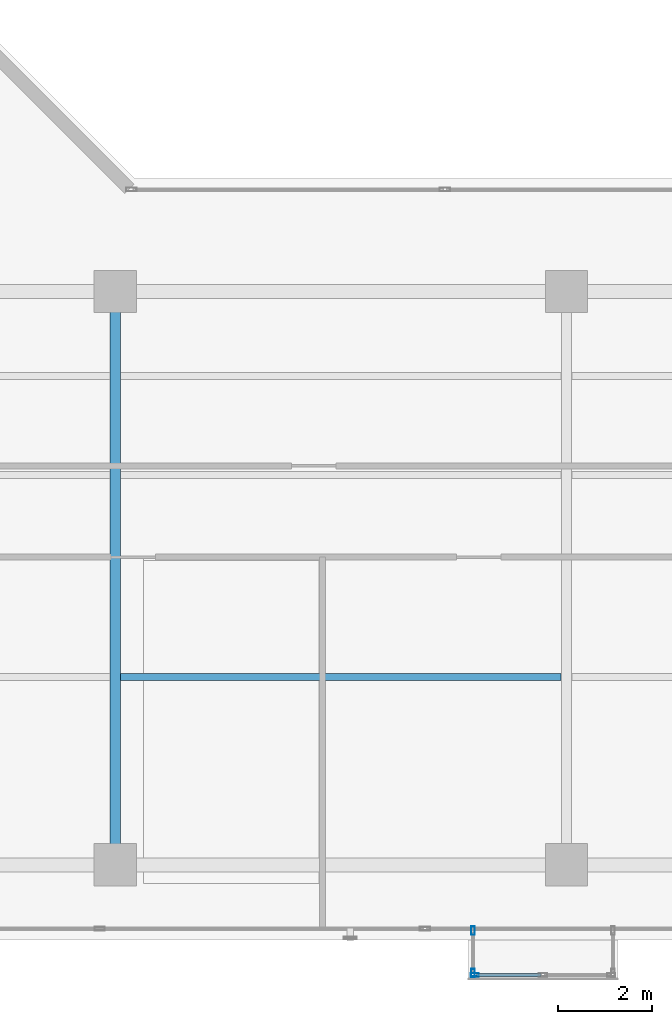
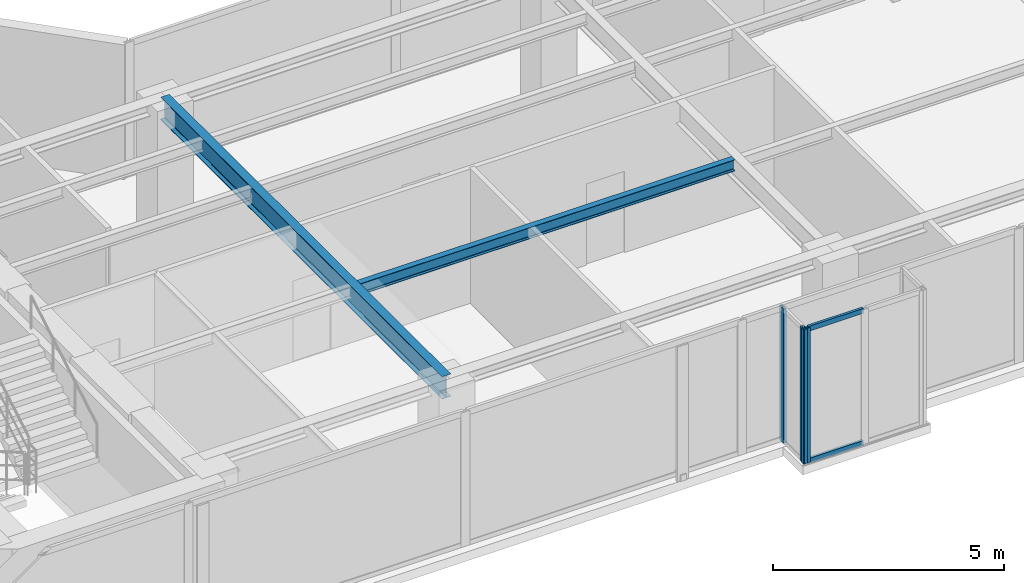
# One storey, part 5 of 24: 5 members, 2 beams, 2 elements without a shape of their own.
"""IFC4 building model written with IfcOpenShell, lengths in metres."""

import ifcopenshell
import ifcopenshell.guid

model = None  # the IFC model being written
_history = None  # IfcOwnerHistory: only IFC2X3 demands one
_inside = {}  # id of a spatial element -> (the spatial element, [elements in it])
_under = {}  # id of a project, library or spatial element -> (it, [spatial elements below it])
_declared = {}  # id of a project -> (the project, [libraries it declares])
_typed = {}  # id of a type object -> (the type object, [elements of that type])
_made_of = {}  # id of a material, layer set ... -> (it, [elements and type objects made of it])


def new_model(schema):
    """Start an empty IFC model of exactly this schema.

    Asked for "IFC4X3", IfcOpenShell would pick the latest addendum, in which some entities
    have other attributes; the version numbers below select the first issue.
    IFC2X3 requires an IfcOwnerHistory on every rooted entity: one is made here for all.
    """
    global model, _history
    if schema == "IFC4X3":
        model = ifcopenshell.file(schema_version=(4, 3, 0, 0))
    else:
        model = ifcopenshell.file(schema=schema)
    _inside.clear()
    _under.clear()
    _declared.clear()
    _typed.clear()
    _made_of.clear()
    _history = None
    if model.schema == "IFC2X3":
        org = make("IfcOrganization", Name="unknown")
        user = make(
            "IfcPersonAndOrganization",
            ThePerson=make("IfcPerson", FamilyName="unknown"),
            TheOrganization=org,
        )
        app = make(
            "IfcApplication",
            ApplicationDeveloper=org,
            Version="unknown",
            ApplicationFullName="unknown",
            ApplicationIdentifier="unknown",
        )
        _history = make(
            "IfcOwnerHistory",
            OwningUser=user,
            OwningApplication=app,
            ChangeAction="ADDED",
            CreationDate=0,
        )
    return model


def make(cls, **values):
    """One entity of the class cls with the attributes given. An attribute that is None is left unset."""
    return model.create_entity(
        cls, **{name: value for name, value in values.items() if value is not None}
    )


def rooted(cls, **values):
    """An entity with a GlobalId (a new one), such as an element, a storey or a relation."""
    return make(cls, GlobalId=ifcopenshell.guid.new(), OwnerHistory=_history, **values)


def si_unit(unit_type, name, prefix=None):
    """IfcSIUnit, for example si_unit("LENGTHUNIT", "METRE", prefix="MILLI")."""
    return make("IfcSIUnit", UnitType=unit_type, Prefix=prefix, Name=name)


def assignment(units):
    """IfcUnitAssignment: the units of a project."""
    return None if units is None else make("IfcUnitAssignment", Units=units)


def point(xyz):
    """IfcCartesianPoint."""
    return None if xyz is None else make("IfcCartesianPoint", Coordinates=xyz)


def direction(xyz):
    """IfcDirection."""
    return None if xyz is None else make("IfcDirection", DirectionRatios=xyz)


def frame(location, z_axis=None, x_axis=None):
    """IfcAxis2Placement3D, a coordinate frame: its origin and axes. An axis left out is left unset."""
    return make(
        "IfcAxis2Placement3D",
        Location=point(location),
        Axis=direction(z_axis),
        RefDirection=direction(x_axis),
    )


def frame_2d(location, x_axis=None):
    """IfcAxis2Placement2D, a coordinate frame in the plane: its origin and x axis."""
    return make(
        "IfcAxis2Placement2D", Location=point(location), RefDirection=direction(x_axis)
    )


def origin():
    """The frame at (0, 0, 0) with its axes left unset."""
    return frame((0.0, 0.0, 0.0))


def origin_with_axes():
    """The frame at (0, 0, 0) with the z axis (0, 0, 1) and the x axis (1, 0, 0) written out."""
    return frame((0.0, 0.0, 0.0), z_axis=(0.0, 0.0, 1.0), x_axis=(1.0, 0.0, 0.0))


def origin_2d():
    """The frame at (0, 0) in the plane with its x axis left unset."""
    return frame_2d((0.0, 0.0))


def place(relative_to, where):
    """IfcLocalPlacement: puts the frame where relative to a parent placement (None: the world)."""
    return make(
        "IfcLocalPlacement", PlacementRelTo=relative_to, RelativePlacement=where
    )


def context(
    kind, dimensions, precision=None, world=None, true_north=None, identifier=None
):
    """IfcGeometricRepresentationContext, for example the 3D "Model" context."""
    return make(
        "IfcGeometricRepresentationContext",
        ContextIdentifier=identifier,
        ContextType=kind,
        CoordinateSpaceDimension=dimensions,
        Precision=precision,
        WorldCoordinateSystem=world,
        TrueNorth=true_north,
    )


def subcontext(parent, identifier, kind, view, scale=None):
    """IfcGeometricRepresentationSubContext, for example "Body" below "Model"."""
    return make(
        "IfcGeometricRepresentationSubContext",
        ContextIdentifier=identifier,
        ContextType=kind,
        ParentContext=parent,
        TargetScale=scale,
        TargetView=view,
    )


def project(units=None, contexts=None):
    """IfcProject with its units and contexts."""
    return rooted(
        "IfcProject",
        Name="project",
        RepresentationContexts=contexts,
        UnitsInContext=assignment(units),
    )


def spatial(cls, under=None, at=None, **own):
    """A site, building, storey or space (cls), placed at a placement, below another one or the project."""
    s = rooted(cls, ObjectPlacement=at, **own)
    if under is not None:
        _under.setdefault(under.id(), (under, []))[1].append(s)
    return s


def profile(cls, at=None, kind="AREA", **sizes):
    """A parametric profile (cls). Its sizes go by their IFC names, for example OverallWidth=200.0."""
    return make(cls, ProfileType=kind, Position=at, **sizes)


def hollow_rectangle(**sizes):
    """IfcRectangleHollowProfileDef."""
    return profile("IfcRectangleHollowProfileDef", **sizes)


def i_section(**sizes):
    """IfcIShapeProfileDef."""
    return profile("IfcIShapeProfileDef", **sizes)


def extrude(swept, where, along, depth):
    """IfcExtrudedAreaSolid: the profile swept, set in the frame where, extruded along a direction by depth."""
    return make(
        "IfcExtrudedAreaSolid",
        SweptArea=swept,
        Position=where,
        ExtrudedDirection=direction(along),
        Depth=depth,
    )


def shape(context_of_items, identifier, shape_type, items):
    """IfcShapeRepresentation: the items that make up one representation, for example the "Body"."""
    return make(
        "IfcShapeRepresentation",
        ContextOfItems=context_of_items,
        RepresentationIdentifier=identifier,
        RepresentationType=shape_type,
        Items=items,
    )


def source(mapping_origin, context_of_items, identifier, shape_type, items):
    """IfcRepresentationMap: a shape defined once, which mapped items show again and again."""
    return make(
        "IfcRepresentationMap",
        MappingOrigin=mapping_origin,
        MappedRepresentation=shape(context_of_items, identifier, shape_type, items),
    )


def transform(
    local_origin,
    x_axis=None,
    y_axis=None,
    z_axis=None,
    scale=None,
    scale2=None,
    scale3=None,
    uniform=True,
):
    """IfcCartesianTransformationOperator3D, or its non-uniform kind. x_axis, y_axis, z_axis: its Axis1, 2, 3."""
    if uniform:
        return make(
            "IfcCartesianTransformationOperator3D",
            Axis1=direction(x_axis),
            Axis2=direction(y_axis),
            LocalOrigin=point(local_origin),
            Scale=scale,
            Axis3=direction(z_axis),
        )
    return make(
        "IfcCartesianTransformationOperator3DnonUniform",
        Axis1=direction(x_axis),
        Axis2=direction(y_axis),
        LocalOrigin=point(local_origin),
        Scale=scale,
        Axis3=direction(z_axis),
        Scale2=scale2,
        Scale3=scale3,
    )


def mapped(mapping_source, mapping_target):
    """IfcMappedItem: shows the shape of a source again, moved by a transform."""
    return make(
        "IfcMappedItem", MappingSource=mapping_source, MappingTarget=mapping_target
    )


def material(Name=None, Category=None):
    """IfcMaterial."""
    return make("IfcMaterial", Name=Name, Category=Category)


def layer(
    of_material, thickness, ventilated=None, Name=None, Category=None, Priority=None
):
    """IfcMaterialLayer: one layer of a wall or slab, of a material (None: an air gap)."""
    return make(
        "IfcMaterialLayer",
        Material=of_material,
        LayerThickness=thickness,
        IsVentilated=ventilated,
        Name=Name,
        Category=Category,
        Priority=Priority,
    )


def layer_set(layers, Name=None):
    """IfcMaterialLayerSet."""
    return make("IfcMaterialLayerSet", MaterialLayers=layers, LayerSetName=Name)


def material_profile(
    of_material, cross_section, Name=None, Category=None, Priority=None
):
    """IfcMaterialProfile: a cross section and its material."""
    return make(
        "IfcMaterialProfile",
        Name=Name,
        Material=of_material,
        Profile=cross_section,
        Priority=Priority,
        Category=Category,
    )


def profile_set(profiles, Name=None, composite=None):
    """IfcMaterialProfileSet."""
    return make(
        "IfcMaterialProfileSet",
        Name=Name,
        MaterialProfiles=profiles,
        CompositeProfile=composite,
    )


def made_of(thing, what):
    """Note that an element or type object is made of a material, layer set ...; save() writes the relation."""
    if what is not None:
        _made_of.setdefault(what.id(), (what, []))[1].append(thing)
    return thing


def type_object(cls, material=None, **own):
    """A type object (cls), such as IfcWallType, which elements share."""
    return made_of(rooted(cls, **own), material)


def element(
    cls,
    number,
    at=None,
    inside=None,
    cuts=None,
    type_object=None,
    material=None,
    context=None,
    identifier="Body",
    shape_type=None,
    held_by="IfcProductDefinitionShape",
    body=None,
    shapes=None,
    **own,
):
    """One element of the class cls, such as IfcWall. Its Tag is "e" and its number.

    at: its placement. inside: the storey or other place that contains it. cuts: it is an
    opening in that element (IfcRelVoidsElement). A single representation is given by context,
    identifier, shape_type and body (its items); several are given by shapes. held_by: the class
    of the entity that holds the representations. save() writes the other relations.
    """
    e = rooted(cls, Tag="e%d" % number, ObjectPlacement=at, **own)
    if body is not None:
        shapes = [shape(context, identifier, shape_type, body)]
    if shapes is not None:
        e.Representation = make(held_by, Representations=shapes)
    if inside is not None:
        _inside.setdefault(inside.id(), (inside, []))[1].append(e)
    if cuts is not None:
        rooted(
            "IfcRelVoidsElement", RelatingBuildingElement=cuts, RelatedOpeningElement=e
        )
    if type_object is not None:
        _typed.setdefault(type_object.id(), (type_object, []))[1].append(e)
    return made_of(e, material)


def aggregate(whole, parts):
    """IfcRelAggregates: a whole, such as a stair, and the parts it consists of."""
    return rooted("IfcRelAggregates", RelatingObject=whole, RelatedObjects=parts)


def save(model, path):
    """Write the relations noted so far, then the file.

    IfcRelAggregates (storeys below a building ...), IfcRelContainedInSpatialStructure (elements
    in a storey), IfcRelDefinesByType, IfcRelAssociatesMaterial and IfcRelDeclares: one each for
    every whole, place, type object, material and project.
    """
    for whole, parts in _under.values():
        aggregate(whole, parts)
    for where, things in _inside.values():
        rooted(
            "IfcRelContainedInSpatialStructure",
            RelatedElements=things,
            RelatingStructure=where,
        )
    for kind, things in _typed.values():
        rooted("IfcRelDefinesByType", RelatedObjects=things, RelatingType=kind)
    for what, things in _made_of.values():
        rooted("IfcRelAssociatesMaterial", RelatedObjects=things, RelatingMaterial=what)
    for by, libraries in _declared.values():
        rooted("IfcRelDeclares", RelatingContext=by, RelatedDefinitions=libraries)
    model.write(path)


model = new_model("IFC4")

# Units and contexts
model_context = context("Model", 3, precision=1e-05, world=origin(), true_north=direction((0.0, 1.0)))
body_context = subcontext(model_context, "Body", "Model", "MODEL_VIEW")
ifc_project = project(units=[si_unit("LENGTHUNIT", "METRE"), si_unit("AREAUNIT", "SQUARE_METRE"), si_unit("VOLUMEUNIT", "CUBIC_METRE"), si_unit("PLANEANGLEUNIT", "RADIAN"), si_unit("MASSUNIT", "GRAM", prefix="KILO")], contexts=[model_context])

# Site, building, storey
site_placement = place(None, origin())
site = spatial("IfcSite", under=ifc_project, at=site_placement, CompositionType="ELEMENT")
building_placement = place(site_placement, origin())
building = spatial("IfcBuilding", under=site, at=building_placement, Name="Kolvaren Waterfront Exchange", CompositionType="ELEMENT")
storey_placement = place(building_placement, frame((0.0, 0.0, 331.199951171875)))
storey = spatial("IfcBuildingStorey", under=building, at=storey_placement, Name="L85", CompositionType="ELEMENT", Elevation=331.199951171875)

# Beams
ifc_material_1 = material(Name="Steel S355", Category="steel")
ifc_material_profile_1 = material_profile(ifc_material_1, i_section(OverallWidth=0.14990234375, OverallDepth=0.300048828125, WebThickness=0.007080078125, FlangeThickness=0.0107421875, FilletRadius=0.014892578125, at=origin_2d()), Name="IPE300")
ifc_profile_set_1 = profile_set([ifc_material_profile_1], Name="Steel S355")
beam_type_1 = type_object("IfcBeamType", Name="STR-BM-IPE300", PredefinedType="JOIST", material=ifc_profile_set_1)
beam_1_placement = place(storey_placement, frame((27.31201171875, 9.199951171875, 3.41015625), z_axis=(1.0, 0.0, 0.0), x_axis=(0.0, 1.0, 0.0)))
element("IfcBeam", 1, at=beam_1_placement, inside=storey, type_object=beam_type_1, Name="L85 east-arm composite joist 2B", PredefinedType="JOIST", context=body_context, shape_type="SweptSolid", body=[
    extrude(i_section(OverallWidth=0.14990234375, OverallDepth=0.300048828125, WebThickness=0.007080078125, FlangeThickness=0.0107421875, FilletRadius=0.014892578125, at=origin_2d()), origin(), (0.0, 0.0, 1.0), 9.3759765625),
])
ifc_material_profile_2 = material_profile(ifc_material_1, i_section(OverallWidth=0.219970703125, OverallDepth=0.60009765625, WebThickness=0.011962890625, FlangeThickness=0.01904296875, FilletRadius=0.02392578125, at=origin_2d()), Name="IPE600")
ifc_profile_set_2 = profile_set([ifc_material_profile_2], Name="Steel S355")
beam_type_2 = type_object("IfcBeamType", Name="STR-BM-IPE600", PredefinedType="BEAM", material=ifc_profile_set_2)
beam_2_placement = place(storey_placement, frame((27.199951171875, 5.199951171875, 3.260009765625), z_axis=(0.0, 1.0, 0.0), x_axis=(-1.0, 0.0, 0.0)))
element("IfcBeam", 2, at=beam_2_placement, inside=storey, type_object=beam_type_2, Name="L85 east-arm transverse girder X27", PredefinedType="BEAM", context=body_context, shape_type="SweptSolid", body=[
    extrude(i_section(OverallWidth=0.219970703125, OverallDepth=0.60009765625, WebThickness=0.011962890625, FlangeThickness=0.01904296875, FilletRadius=0.02392578125, at=origin_2d()), origin(), (0.0, 0.0, 1.0), 12.199951171875),
])

# Curtain wall, members
ifc_material_2 = material(Name="Anodised bronze aluminium 6063-T6", Category="aluminium")
ifc_layer = layer(ifc_material_2, 0.219970703125, Name="Anodised bronze aluminium 6063-T6")
ifc_layer_set = layer_set([ifc_layer], Name="Anodised bronze aluminium 6063-T6")
curtain_wall_type = type_object("IfcCurtainWallType", Name="ARC-CW-SYS3", PredefinedType="USERDEFINED", material=ifc_layer_set)
curtain_wall_1_placement = place(storey_placement, origin())
curtain_wall_1 = element("IfcCurtainWall", 3, at=curtain_wall_1_placement, inside=storey, type_object=curtain_wall_type, Name="L85 stick curtain wall CW3 (CW-L85-BOX)", ObjectType="STICK CURTAIN WALL", PredefinedType="USERDEFINED")
ifc_material_profile_3 = material_profile(ifc_material_2, hollow_rectangle(XDim=0.06494140625, YDim=0.1298828125, WallThickness=0.00390625, at=origin_2d()), Name="ALU-TRN-130x65x4")
ifc_profile_set_3 = profile_set([ifc_material_profile_3], Name="Anodised bronze aluminium 6063-T6")
member_type_1 = type_object("IfcMemberType", Name="ARC-CWT-130", PredefinedType="USERDEFINED", material=ifc_profile_set_3)
shared_shape_1 = source(origin_with_axes(), body_context, "Body", "SweptSolid", [
    extrude(hollow_rectangle(XDim=0.06494140625, YDim=0.1298828125, WallThickness=0.00390625, at=origin_2d()), origin(), (0.0, 0.0, 1.0), 1.37744140625),
])
member_1_placement = place(storey_placement, frame((34.885009765625, 2.860107421875, 0.032470703125), z_axis=(1.0, 0.0, 0.0), x_axis=(0.0, 1.0, 0.0)))
member_1 = element("IfcMember", 4, at=member_1_placement, type_object=member_type_1, Name="CW3 transom 1.1", ObjectType="TRANSOM", PredefinedType="USERDEFINED", context=body_context, shape_type="MappedRepresentation", body=[
    mapped(shared_shape_1, transform((0.0, 0.0, 0.0), x_axis=(1.0, 0.0, 0.0), y_axis=(0.0, 1.0, 0.0), z_axis=(0.0, 0.0, 1.0), scale=1.0)),
])
member_2_placement = place(storey_placement, frame((34.885009765625, 2.860107421875, 3.527587890625), z_axis=(1.0, 0.0, 0.0), x_axis=(0.0, 1.0, 0.0)))
member_2 = element("IfcMember", 5, at=member_2_placement, type_object=member_type_1, Name="CW3 transom 1.2", ObjectType="TRANSOM", PredefinedType="USERDEFINED", context=body_context, shape_type="MappedRepresentation", body=[
    mapped(shared_shape_1, transform((0.0, 0.0, 0.0), x_axis=(1.0, 0.0, 0.0), y_axis=(0.0, 1.0, 0.0), z_axis=(0.0, 0.0, 1.0), scale=1.0)),
])

curtain_wall_2_placement = place(storey_placement, origin())
curtain_wall_2 = element("IfcCurtainWall", 6, at=curtain_wall_2_placement, inside=storey, type_object=curtain_wall_type, Name="L85 stick curtain wall CW3 (CW-L85-BOX-W)", ObjectType="STICK CURTAIN WALL", PredefinedType="USERDEFINED")
ifc_material_profile_4 = material_profile(ifc_material_2, hollow_rectangle(XDim=0.074951171875, YDim=0.179931640625, WallThickness=0.00439453125, at=origin_2d()), Name="ALU-MUL-180x75x4.5")
ifc_profile_set_4 = profile_set([ifc_material_profile_4], Name="Anodised bronze aluminium 6063-T6")
member_type_2 = type_object("IfcMemberType", Name="ARC-CWM-180", PredefinedType="MULLION", material=ifc_profile_set_4)
shared_shape_2 = source(origin_with_axes(), body_context, "Body", "SweptSolid", [
    extrude(hollow_rectangle(XDim=0.074951171875, YDim=0.179931640625, WallThickness=0.00439453125, at=origin_2d()), origin(), (0.0, 0.0, 1.0), 3.56005859375),
])
member_3_placement = place(storey_placement, frame((34.81005859375, 3.802490234375, 0.0), z_axis=(0.0, 0.0, 1.0), x_axis=(1.0, 0.0, 0.0)))
member_3 = element("IfcMember", 7, at=member_3_placement, type_object=member_type_2, Name="CW3 mullion 1", PredefinedType="MULLION", context=body_context, shape_type="MappedRepresentation", body=[
    mapped(shared_shape_2, transform((0.0, 0.0, 0.0), x_axis=(1.0, 0.0, 0.0), y_axis=(0.0, 1.0, 0.0), z_axis=(0.0, 0.0, 1.0), scale=1.0)),
])
member_4_placement = place(storey_placement, frame((34.81005859375, 2.8974609375, 0.0), z_axis=(0.0, 0.0, 1.0), x_axis=(1.0, 0.0, 0.0)))
member_4 = element("IfcMember", 8, at=member_4_placement, type_object=member_type_2, Name="CW3 mullion 2", PredefinedType="MULLION", context=body_context, shape_type="MappedRepresentation", body=[
    mapped(shared_shape_2, transform((0.0, 0.0, 0.0), x_axis=(1.0, 0.0, 0.0), y_axis=(0.0, 1.0, 0.0), z_axis=(0.0, 0.0, 1.0), scale=1.0)),
])
aggregate(curtain_wall_2, [member_3, member_4])

# Member
member_5_placement = place(storey_placement, frame((34.847412109375, 2.860107421875, 0.0), z_axis=(0.0, 0.0, 1.0), x_axis=(0.0, 1.0, 0.0)))
member_5 = element("IfcMember", 9, at=member_5_placement, type_object=member_type_2, Name="CW3 mullion 1", PredefinedType="MULLION", context=body_context, shape_type="MappedRepresentation", body=[
    mapped(shared_shape_2, transform((0.0, 0.0, 0.0), x_axis=(1.0, 0.0, 0.0), y_axis=(0.0, 1.0, 0.0), z_axis=(0.0, 0.0, 1.0), scale=1.0)),
])

aggregate(curtain_wall_1, [member_5, member_1, member_2])

save(model, "model.ifc")
